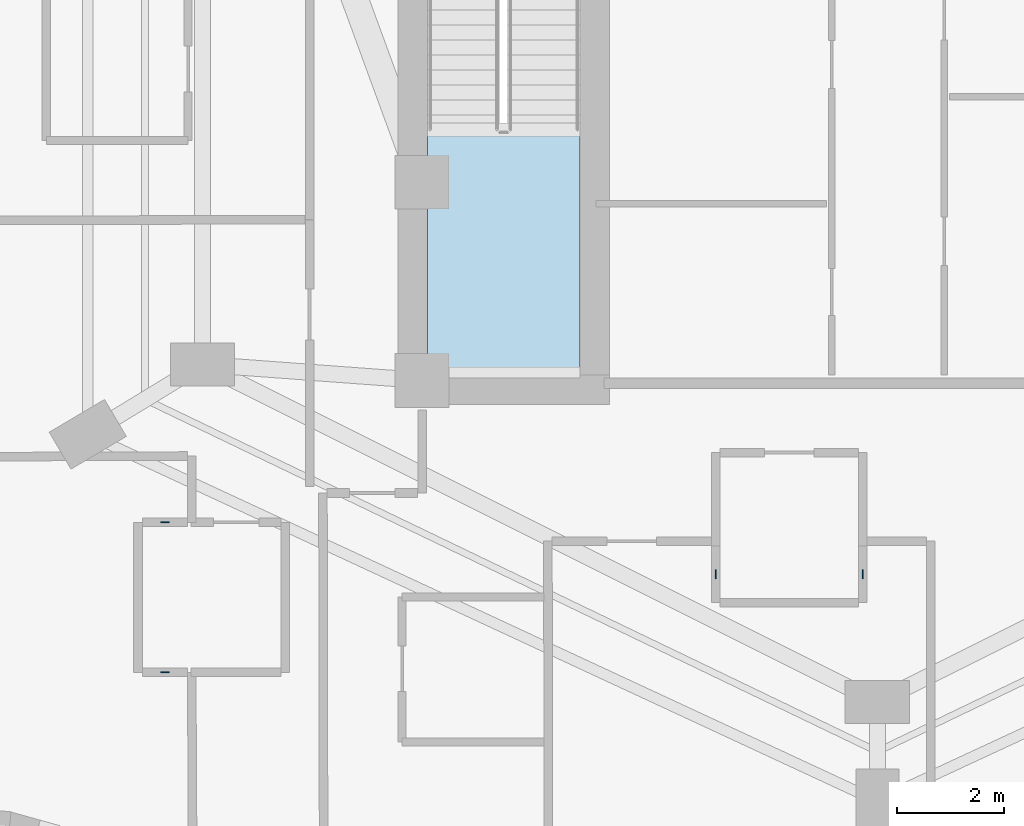
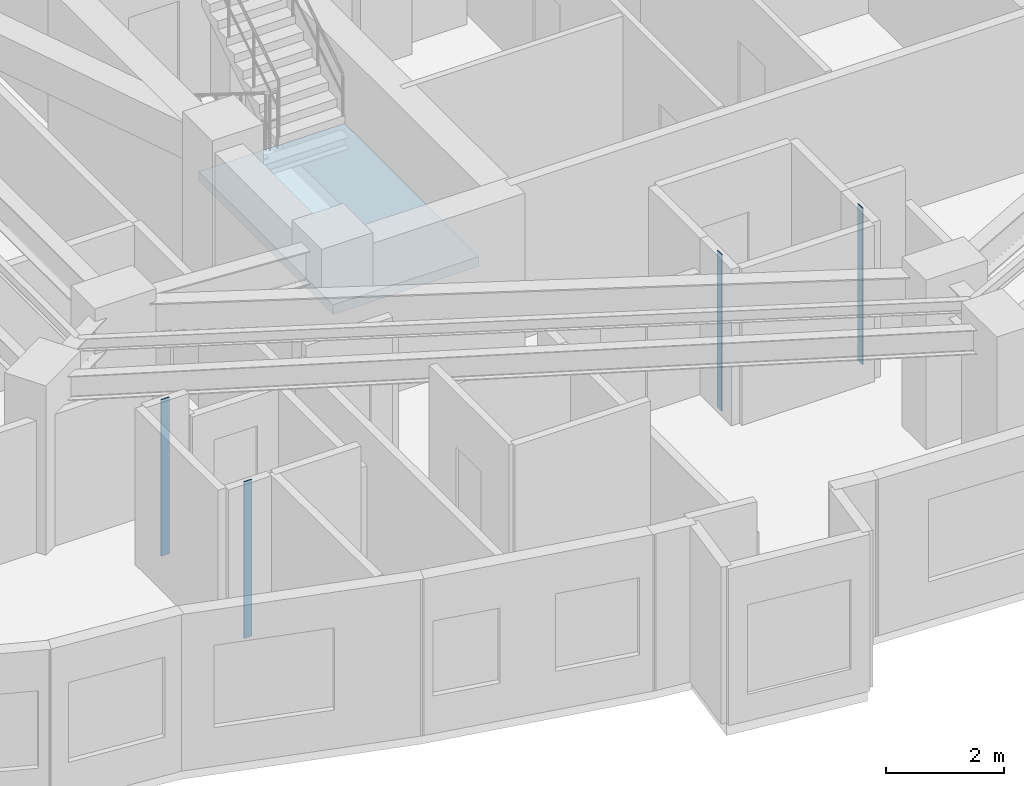
# One storey, part 2 of 14: 4 plates, 1 slab, 1 element without a shape of its own.
"""IFC4 building model written with IfcOpenShell, lengths in metres."""

from ifc_helpers import new_model, si_unit, direction, frame, origin, origin_2d, place, context, subcontext, project, spatial, polyline, rectangle, outline, extrude, material, layer, layer_set, type_object, element, aggregate, save


model = new_model("IFC4")

# Units and contexts
model_context = context("Model", 3, precision=1e-05, world=origin(), true_north=direction((0.0, 1.0)))
body_context = subcontext(model_context, "Body", "Model", "MODEL_VIEW")
ifc_project = project(units=[si_unit("LENGTHUNIT", "METRE"), si_unit("AREAUNIT", "SQUARE_METRE"), si_unit("VOLUMEUNIT", "CUBIC_METRE"), si_unit("PLANEANGLEUNIT", "RADIAN"), si_unit("MASSUNIT", "GRAM", prefix="KILO")], contexts=[model_context])

# Site, building, storey
site_placement = place(None, origin())
site = spatial("IfcSite", under=ifc_project, at=site_placement, CompositionType="ELEMENT")
building_placement = place(site_placement, origin())
building = spatial("IfcBuilding", under=site, at=building_placement, Name="Miruveldt Soraemaru", CompositionType="ELEMENT")
storey_placement = place(building_placement, frame((0.0, 0.0, 128.39990234375)))
storey = spatial("IfcBuildingStorey", under=building, at=storey_placement, Name="L35", CompositionType="ELEMENT", Elevation=128.39990234375)

# Plates
ifc_material_1 = material(Name="Anodised aluminium EN AW-6063 T6", Category="aluminium")
ifc_layer_1 = layer(ifc_material_1, 0.02001953125, Name="Anodised aluminium EN AW-6063 T6", Category="aluminium")
ifc_layer_set_1 = layer_set([ifc_layer_1], Name="Anodised aluminium EN AW-6063 T6")
plate_type = type_object("IfcPlateType", Name="PLT-PART-TRIM", PredefinedType="SHEET", material=ifc_layer_set_1)
for number, where, z_axis, x_axis, name in (
    (1, (40.97998046875, 31.882080078125, 0.0), (0.0, 0.0, 1.0), (0.0, -1.0, 0.0), "L35 Partition Step Corner Trim Plate 078"),
    (2, (43.72998046875, 31.882080078125, 0.0), (0.0, 0.0, 1.0), (0.0, 1.0, 0.0), "L35 Partition Step Corner Trim Plate 080"),
    (3, (30.698974609375, 32.85107421875, 0.0), (0.0, 0.0, 1.0), (-1.0, 0.0, 0.0), "L35 Partition Step Corner Trim Plate 067"),
    (4, (30.698974609375, 30.051025390625, 0.0), (0.0, 0.0, 1.0), (1.0, 0.0, 0.0), "L35 Partition Step Corner Trim Plate 069"),
):
    element("IfcPlate", number, at=place(storey_placement, frame(where, z_axis=z_axis, x_axis=x_axis)), inside=storey, type_object=plate_type, Name=name, PredefinedType="SHEET", context=body_context, shape_type="SweptSolid", body=[
        extrude(rectangle(XDim=0.159912109375, YDim=0.02001953125, at=origin_2d()), origin(), (0.0, 0.0, 1.0), 3.235107421875),
    ])

# Stair, slab
ifc_material_2 = material(Name="Concrete C40/50 (40 MPa)", Category="concrete")
stair_type = type_object("IfcStairType", Name="STAIR-DL-350", PredefinedType="HALF_TURN_STAIR", material=ifc_material_2)
stair_placement = place(storey_placement, origin())
stair = element("IfcStair", 5, at=stair_placement, inside=storey, type_object=stair_type, Name="L35 Protected Exit Stair ST-1", PredefinedType="HALF_TURN_STAIR")
ifc_layer_2 = layer(ifc_material_2, 0.199951171875, Name="Concrete C40/50 (40 MPa)", Category="concrete")
ifc_layer_set_2 = layer_set([ifc_layer_2], Name="Concrete C40/50 (40 MPa)")
slab_type = type_object("IfcSlabType", Name="SLAB-LAND-200", PredefinedType="LANDING", material=ifc_layer_set_2)
slab_placement = place(storey_placement, frame((0.0, 0.0, 1.550048828125)))
slab = element("IfcSlab", 6, at=slab_placement, type_object=slab_type, Name="ST-1 landing 1", PredefinedType="LANDING", context=body_context, shape_type="SweptSolid", body=[
    extrude(outline(polyline([(35.60009765625, 40.197998046875), (35.60009765625, 35.64990234375), (38.449951171875, 35.64990234375), (38.449951171875, 40.197998046875), (35.60009765625, 40.197998046875)])), origin(), (0.0, 0.0, 1.0), 0.199951171875),
])
aggregate(stair, [slab])

save(model, "model.ifc")
